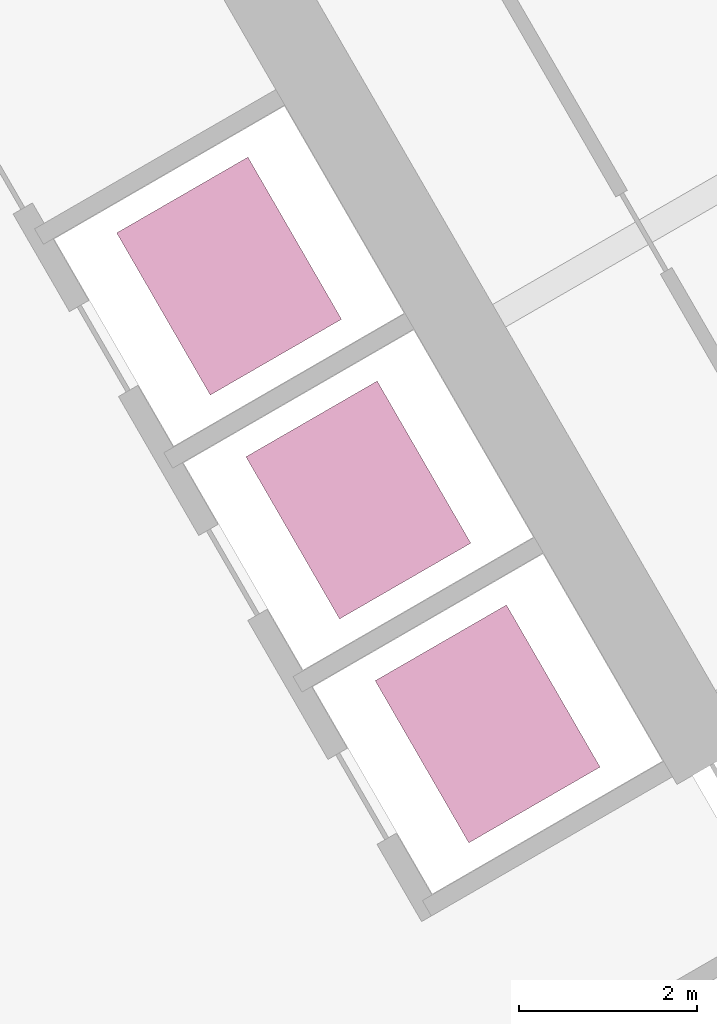
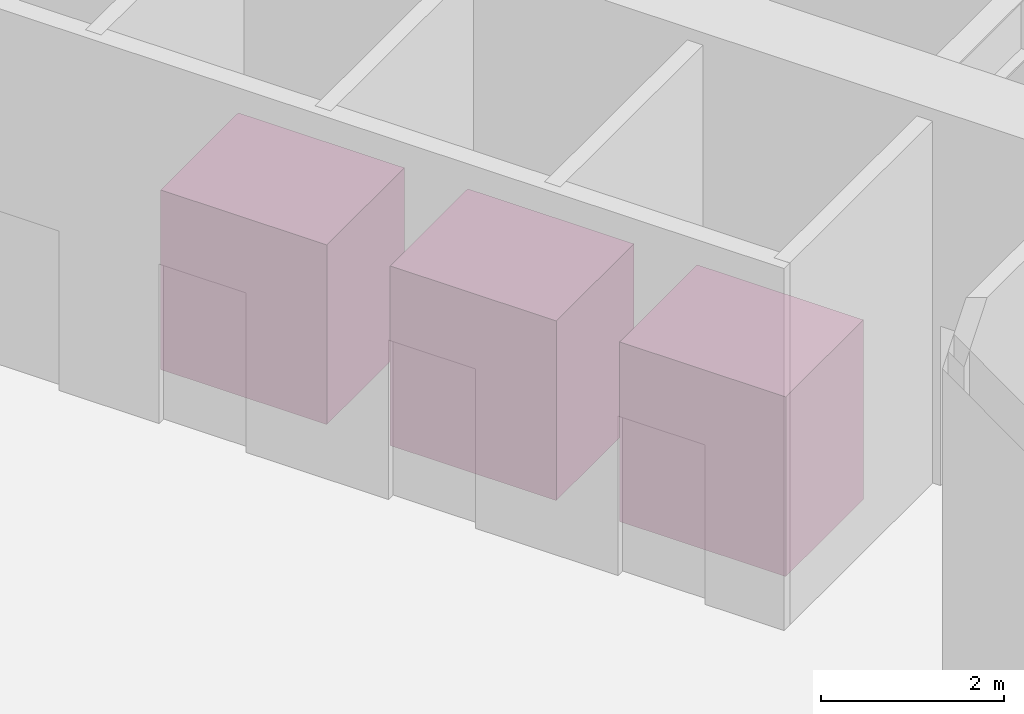
# One storey, part 13 of 13: 3 transport elements.
"""IFC4 building model written with IfcOpenShell, lengths in metres."""

from ifc_helpers import new_model, si_unit, direction, frame, origin, origin_2d, place, context, subcontext, project, spatial, rectangle, extrude, material, type_object, element, save


model = new_model("IFC4")

# Units and contexts
model_context = context("Model", 3, precision=1e-05, world=origin(), true_north=direction((0.0, 1.0)))
body_context = subcontext(model_context, "Body", "Model", "MODEL_VIEW")
ifc_project = project(units=[si_unit("LENGTHUNIT", "METRE"), si_unit("AREAUNIT", "SQUARE_METRE"), si_unit("VOLUMEUNIT", "CUBIC_METRE"), si_unit("PLANEANGLEUNIT", "RADIAN"), si_unit("MASSUNIT", "GRAM", prefix="KILO")], contexts=[model_context])

# Site, building, storey
site_placement = place(None, origin())
site = spatial("IfcSite", under=ifc_project, at=site_placement, CompositionType="ELEMENT")
building_placement = place(site_placement, origin())
building = spatial("IfcBuilding", under=site, at=building_placement, Name="Trikona Tower", CompositionType="ELEMENT")
storey_placement = place(building_placement, frame((0.0, 0.0, 195.89990234375)))
storey = spatial("IfcBuildingStorey", under=building, at=storey_placement, Name="L52", CompositionType="ELEMENT", Elevation=195.89990234375)

# Transport elements
ifc_material = material(Name="Lift car, stainless steel", Category="steel")
transport_element_type = type_object("IfcTransportElementType", Name="High-rise guest lift", PredefinedType="ELEVATOR", material=ifc_material)
for number, where, z_axis, x_axis, name in (
    (1, (6.01123046875, 4.74072265625, 0.000244140625), (0.0, 0.0, 1.0), (-0.5, 0.866025403784, 0.0), "Lift L3-1 High-rise guest lift"),
    (2, (4.561279296875, 7.252197265625, 0.000244140625), (0.0, 0.0, 1.0), (-0.5, 0.866025403784, 0.0), "Lift L3-2 High-rise guest lift"),
    (3, (3.111328125, 9.763671875, 0.000244140625), (0.0, 0.0, 1.0), (-0.5, 0.866025403784, 0.0), "Lift L3-3 High-rise guest lift"),
):
    element("IfcTransportElement", number, at=place(storey_placement, frame(where, z_axis=z_axis, x_axis=x_axis)), inside=storey, type_object=transport_element_type, Name=name, PredefinedType="ELEVATOR", context=body_context, shape_type="SweptSolid", body=[
        extrude(rectangle(XDim=2.10009765625, YDim=1.699951171875, at=origin_2d()), origin(), (0.0, 0.0, 1.0), 2.39990234375),
    ])

save(model, "model.ifc")
